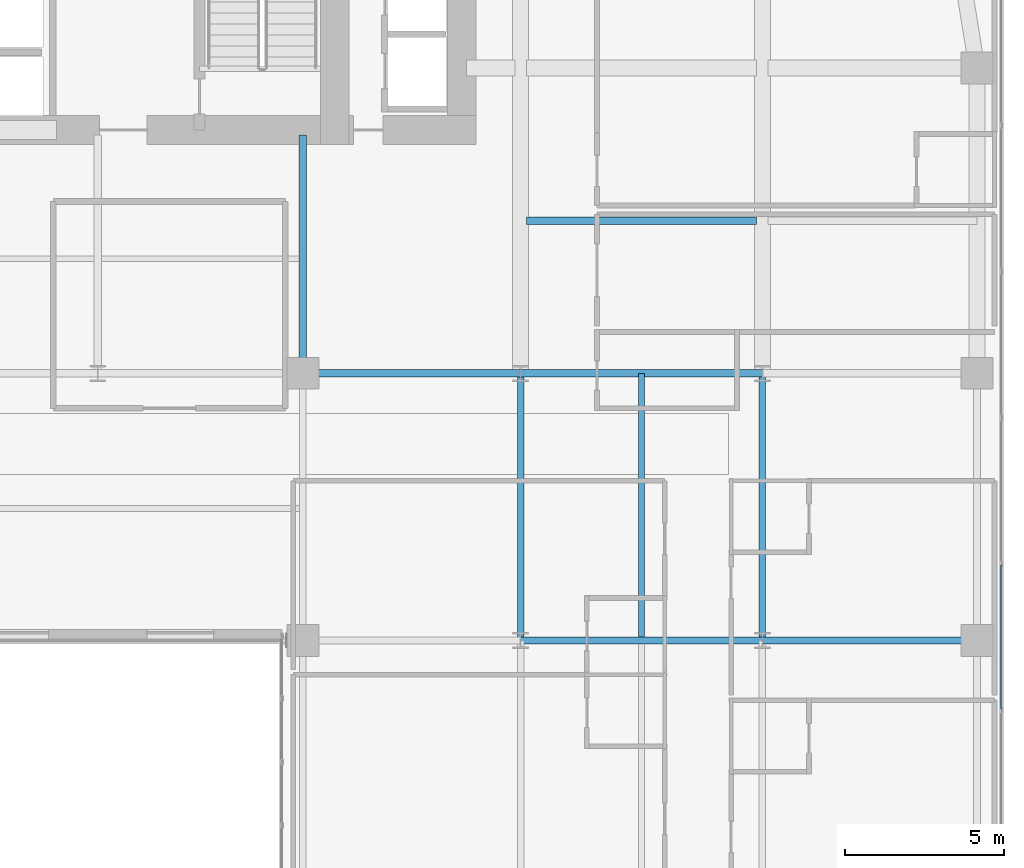
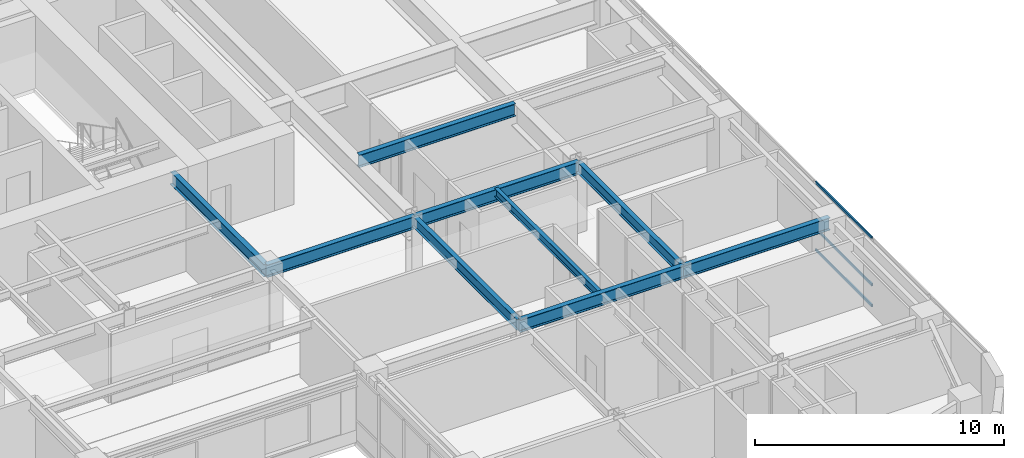
# One storey, part 14 of 31: 9 beams, 3 members, 1 element without a shape of its own.
"""IFC4 building model written with IfcOpenShell, lengths in metres."""

from ifc_helpers import new_model, si_unit, direction, frame, origin, origin_2d, place, context, subcontext, project, spatial, hollow_rectangle, i_section, extrude, source, transform, mapped, material, layer, layer_set, material_profile, profile_set, type_object, type_shapes, element, aggregate, save


model = new_model("IFC4")

# Units and contexts
model_context = context("Model", 3, precision=1e-05, world=origin(), true_north=direction((0.0, 1.0)))
body_context = subcontext(model_context, "Body", "Model", "MODEL_VIEW")
ifc_project = project(units=[si_unit("LENGTHUNIT", "METRE"), si_unit("AREAUNIT", "SQUARE_METRE"), si_unit("VOLUMEUNIT", "CUBIC_METRE"), si_unit("PLANEANGLEUNIT", "RADIAN"), si_unit("MASSUNIT", "GRAM", prefix="KILO")], contexts=[model_context])

# Site, building, storey
site_placement = place(None, origin())
site = spatial("IfcSite", under=ifc_project, at=site_placement, CompositionType="ELEMENT")
building_placement = place(site_placement, origin())
building = spatial("IfcBuilding", under=site, at=building_placement, Name="Tolvann Quenvar Hotel", CompositionType="ELEMENT")
storey_placement = place(building_placement, frame((0.0, 0.0, 74.60009765625)))
storey = spatial("IfcBuildingStorey", under=building, at=storey_placement, Name="L18", CompositionType="ELEMENT", Elevation=74.60009765625)

# Beams
ifc_material_1 = material(Name="Steel Grade 350", Category="steel")
ifc_material_profile_1 = material_profile(ifc_material_1, i_section(OverallWidth=0.22900390625, OverallDepth=0.612060546875, WebThickness=0.011962890625, FlangeThickness=0.01953125, FilletRadius=0.013916015625, at=origin_2d()), Name="610UB125")
ifc_profile_set_1 = profile_set([ifc_material_profile_1], Name="Steel Grade 350")
beam_type_1 = type_object("IfcBeamType", Name="BM_GIRD_610UB125", PredefinedType="BEAM", material=ifc_profile_set_1)
shared_shape_1 = source(origin(), body_context, "Body", "SweptSolid", [
    extrude(i_section(OverallWidth=0.22900390625, OverallDepth=0.612060546875, WebThickness=0.011962890625, FlangeThickness=0.01953125, FilletRadius=0.013916015625, at=origin_2d()), origin(), (0.0, 0.0, 1.0), 6.75),
])
beam_1_placement = place(storey_placement, frame((49.39990234375, 16.0, 3.06396484375), z_axis=(1.0, 0.0, 0.0), x_axis=(0.0, 1.0, 0.0)))
element("IfcBeam", 1, at=beam_1_placement, inside=storey, type_object=beam_type_1, Name="BM-L18-EW-4-I4-J4", PredefinedType="BEAM", context=body_context, shape_type="MappedRepresentation", body=[
    mapped(shared_shape_1, transform((0.0, 0.0, 0.0), x_axis=(1.0, 0.0, 0.0), y_axis=(0.0, 1.0, 0.0), z_axis=(0.0, 0.0, 1.0), scale=1.0)),
])
shared_shape_2 = source(origin(), body_context, "Body", "SweptSolid", [
    extrude(i_section(OverallWidth=0.22900390625, OverallDepth=0.612060546875, WebThickness=0.011962890625, FlangeThickness=0.01953125, FilletRadius=0.013916015625, at=origin_2d()), origin(), (0.0, 0.0, 1.0), 7.599853515625),
])
for number, where, z_axis, x_axis, name in (
    (2, (41.800048828125, 16.0, 3.06396484375), (1.0, 0.0, 0.0), (0.0, 1.0, 0.0), "BM-L18-EW-4-H4-I4"),
    (3, (41.800048828125, 24.39990234375, 3.06396484375), (1.0, 0.0, 0.0), (0.0, 1.0, 0.0), "BM-L18-EW-5-H5-I5"),
):
    element("IfcBeam", number, at=place(storey_placement, frame(where, z_axis=z_axis, x_axis=x_axis)), inside=storey, type_object=beam_type_1, Name=name, PredefinedType="BEAM", context=body_context, shape_type="MappedRepresentation", body=[
        mapped(shared_shape_2, transform((0.0, 0.0, 0.0), x_axis=(1.0, 0.0, 0.0), y_axis=(0.0, 1.0, 0.0), z_axis=(0.0, 0.0, 1.0), scale=1.0)),
    ])
shared_shape_3 = source(origin(), body_context, "Body", "SweptSolid", [
    extrude(i_section(OverallWidth=0.22900390625, OverallDepth=0.612060546875, WebThickness=0.011962890625, FlangeThickness=0.01953125, FilletRadius=0.013916015625, at=origin_2d()), origin(), (0.0, 0.0, 1.0), 6.85009765625),
])
beam_2_placement = place(storey_placement, frame((34.949951171875, 24.39990234375, 3.06396484375), z_axis=(1.0, 0.0, 0.0), x_axis=(0.0, 1.0, 0.0)))
element("IfcBeam", 4, at=beam_2_placement, inside=storey, type_object=beam_type_1, Name="BM-L18-EW-5-F5-H5", PredefinedType="BEAM", context=body_context, shape_type="MappedRepresentation", body=[
    mapped(shared_shape_3, transform((0.0, 0.0, 0.0), x_axis=(1.0, 0.0, 0.0), y_axis=(0.0, 1.0, 0.0), z_axis=(0.0, 0.0, 1.0), scale=1.0)),
])
ifc_material_profile_2 = material_profile(ifc_material_1, i_section(OverallWidth=0.208984375, OverallDepth=0.532958984375, WebThickness=0.01025390625, FlangeThickness=0.015625, FilletRadius=0.013916015625, at=origin_2d()), Name="530UB92")
ifc_profile_set_2 = profile_set([ifc_material_profile_2], Name="Steel Grade 350")
beam_type_2 = type_object("IfcBeamType", Name="BM_GIRD_530UB92", PredefinedType="BEAM", material=ifc_profile_set_2)
shared_shape_4 = source(origin(), body_context, "Body", "SweptSolid", [
    extrude(i_section(OverallWidth=0.208984375, OverallDepth=0.532958984375, WebThickness=0.01025390625, FlangeThickness=0.015625, FilletRadius=0.013916015625, at=origin_2d()), origin(), (0.0, 0.0, 1.0), 8.39990234375),
])
type_shapes(beam_type_2, [shared_shape_4])
for number, where, z_axis, x_axis, name in (
    (5, (41.800048828125, 16.0, 3.103515625), (0.0, 1.0, 0.0), (-1.0, 0.0, 0.0), "BM-L18-NS-H4-H5"),
    (6, (49.39990234375, 16.0, 3.103515625), (0.0, 1.0, 0.0), (-1.0, 0.0, 0.0), "BM-L18-NS-I4-I5"),
):
    element("IfcBeam", number, at=place(storey_placement, frame(where, z_axis=z_axis, x_axis=x_axis)), inside=storey, type_object=beam_type_2, Name=name, PredefinedType="BEAM", context=body_context, shape_type="MappedRepresentation", body=[
        mapped(shared_shape_4, transform((0.0, 0.0, 0.0), x_axis=(1.0, 0.0, 0.0), y_axis=(0.0, 1.0, 0.0), z_axis=(0.0, 0.0, 1.0), scale=1.0)),
    ])
shared_shape_5 = source(origin(), body_context, "Body", "SweptSolid", [
    extrude(i_section(OverallWidth=0.22900390625, OverallDepth=0.612060546875, WebThickness=0.011962890625, FlangeThickness=0.01953125, FilletRadius=0.013916015625, at=origin_2d()), origin(), (0.0, 0.0, 1.0), 7.5),
])
beam_3_placement = place(storey_placement, frame((34.949951171875, 24.39990234375, 3.06396484375), z_axis=(0.0, 1.0, 0.0), x_axis=(-1.0, 0.0, 0.0)))
element("IfcBeam", 7, at=beam_3_placement, inside=storey, type_object=beam_type_1, Name="BM-L18-CORE-F5", PredefinedType="BEAM", context=body_context, shape_type="MappedRepresentation", body=[
    mapped(shared_shape_5, transform((0.0, 0.0, 0.0), x_axis=(1.0, 0.0, 0.0), y_axis=(0.0, 1.0, 0.0), z_axis=(0.0, 0.0, 1.0), scale=1.0)),
])
shared_shape_6 = source(origin(), body_context, "Body", "SweptSolid", [
    extrude(i_section(OverallWidth=0.22900390625, OverallDepth=0.612060546875, WebThickness=0.011962890625, FlangeThickness=0.01953125, FilletRadius=0.013916015625, at=origin_2d()), origin(), (0.0, 0.0, 1.0), 7.239990234375),
])
type_shapes(beam_type_1, [shared_shape_1, shared_shape_2, shared_shape_3, shared_shape_5, shared_shape_6])
beam_4_placement = place(storey_placement, frame((41.97998046875, 29.199951171875, 3.06396484375), z_axis=(1.0, 0.0, 0.0), x_axis=(0.0, 1.0, 0.0)))
element("IfcBeam", 8, at=beam_4_placement, inside=storey, type_object=beam_type_1, Name="BM-L18-EW-HI29", PredefinedType="BEAM", context=body_context, shape_type="MappedRepresentation", body=[
    mapped(shared_shape_6, transform((0.0, 0.0, 0.0), x_axis=(1.0, 0.0, 0.0), y_axis=(0.0, 1.0, 0.0), z_axis=(0.0, 0.0, 1.0), scale=1.0)),
])
ifc_material_profile_3 = material_profile(ifc_material_1, i_section(OverallWidth=0.177978515625, OverallDepth=0.406005859375, WebThickness=0.0078125, FlangeThickness=0.0126953125, FilletRadius=0.011474609375, at=origin_2d()), Name="410UB60")
ifc_profile_set_3 = profile_set([ifc_material_profile_3], Name="Steel Grade 350")
beam_type_3 = type_object("IfcBeamType", Name="BM_JOIST_410UB60", PredefinedType="JOIST", material=ifc_profile_set_3)
shared_shape_7 = source(origin(), body_context, "Body", "SweptSolid", [
    extrude(i_section(OverallWidth=0.177978515625, OverallDepth=0.406005859375, WebThickness=0.0078125, FlangeThickness=0.0126953125, FilletRadius=0.011474609375, at=origin_2d()), origin(), (0.0, 0.0, 1.0), 8.29150390625),
])
type_shapes(beam_type_3, [shared_shape_7])
beam_5_placement = place(storey_placement, frame((45.60009765625, 16.1083984375, 3.1669921875), z_axis=(0.0, 1.0, 0.0), x_axis=(-1.0, 0.0, 0.0)))
element("IfcBeam", 9, at=beam_5_placement, inside=storey, type_object=beam_type_3, Name="BJ-L18-456-160", PredefinedType="JOIST", context=body_context, shape_type="MappedRepresentation", body=[
    mapped(shared_shape_7, transform((0.0, 0.0, 0.0), x_axis=(1.0, 0.0, 0.0), y_axis=(0.0, 1.0, 0.0), z_axis=(0.0, 0.0, 1.0), scale=1.0)),
])

# Curtain wall, members
ifc_material_2 = material(Name="Thermally broken anodised architectural aluminium 6063-T6 and laminated low-E glass", Category="aluminium")
ifc_layer = layer(ifc_material_2, 0.179931640625)
ifc_layer_set = layer_set([ifc_layer], Name="Thermally broken anodised architectural aluminium 6063-T6 and laminated low-E glass")
curtain_wall_type = type_object("IfcCurtainWallType", Name="CW_SYS_BAND_04", PredefinedType="USERDEFINED", material=ifc_layer_set)
curtain_wall_placement = place(storey_placement, origin())
curtain_wall = element("IfcCurtainWall", 10, at=curtain_wall_placement, inside=storey, type_object=curtain_wall_type, Name="Curtain Wall CW-BAND-04 (CWR-L18-E13)", ObjectType="UNITISED CURTAIN WALL", PredefinedType="USERDEFINED")
ifc_material_3 = material(Name="Anodised architectural aluminium 6063-T6 framing", Category="aluminium")
ifc_material_profile_4 = material_profile(ifc_material_3, hollow_rectangle(XDim=0.06005859375, YDim=0.1201171875, WallThickness=0.00341796875, at=origin_2d()), Name="120x60x3.5RHS")
ifc_profile_set_4 = profile_set([ifc_material_profile_4], Name="Anodised architectural aluminium 6063-T6 framing")
member_type = type_object("IfcMemberType", Name="CW_TRAN_120x60", PredefinedType="USERDEFINED", material=ifc_profile_set_4)
shared_shape_8 = source(origin(), body_context, "Body", "SweptSolid", [
    extrude(hollow_rectangle(XDim=0.06005859375, YDim=0.1201171875, WallThickness=0.00341796875, at=origin_2d()), origin(), (0.0, 0.0, 1.0), 4.52587890625),
])
type_shapes(member_type, [shared_shape_8])
member_1_placement = place(storey_placement, frame((56.909912109375, 13.843505859375, 0.02978515625), z_axis=(0.0, 1.0, 0.0), x_axis=(-1.0, 0.0, 0.0)))
member_1 = element("IfcMember", 11, at=member_1_placement, type_object=member_type, Name="CW-BAND-04 transom 3.1", ObjectType="TRANSOM", PredefinedType="USERDEFINED", context=body_context, shape_type="MappedRepresentation", body=[
    mapped(shared_shape_8, transform((0.0, 0.0, 0.0), x_axis=(1.0, 0.0, 0.0), y_axis=(0.0, 1.0, 0.0), z_axis=(0.0, 0.0, 1.0), scale=1.0)),
])
member_2_placement = place(storey_placement, frame((56.909912109375, 13.843505859375, 1.0498046875), z_axis=(0.0, 1.0, 0.0), x_axis=(-1.0, 0.0, 0.0)))
member_2 = element("IfcMember", 12, at=member_2_placement, type_object=member_type, Name="CW-BAND-04 transom 3.2", ObjectType="TRANSOM", PredefinedType="USERDEFINED", context=body_context, shape_type="MappedRepresentation", body=[
    mapped(shared_shape_8, transform((0.0, 0.0, 0.0), x_axis=(1.0, 0.0, 0.0), y_axis=(0.0, 1.0, 0.0), z_axis=(0.0, 0.0, 1.0), scale=1.0)),
])
member_3_placement = place(storey_placement, frame((56.909912109375, 13.843505859375, 3.33984375), z_axis=(0.0, 1.0, 0.0), x_axis=(-1.0, 0.0, 0.0)))
member_3 = element("IfcMember", 13, at=member_3_placement, type_object=member_type, Name="CW-BAND-04 transom 3.3", ObjectType="TRANSOM", PredefinedType="USERDEFINED", context=body_context, shape_type="MappedRepresentation", body=[
    mapped(shared_shape_8, transform((0.0, 0.0, 0.0), x_axis=(1.0, 0.0, 0.0), y_axis=(0.0, 1.0, 0.0), z_axis=(0.0, 0.0, 1.0), scale=1.0)),
])
aggregate(curtain_wall, [member_1, member_2, member_3])

save(model, "model.ifc")
